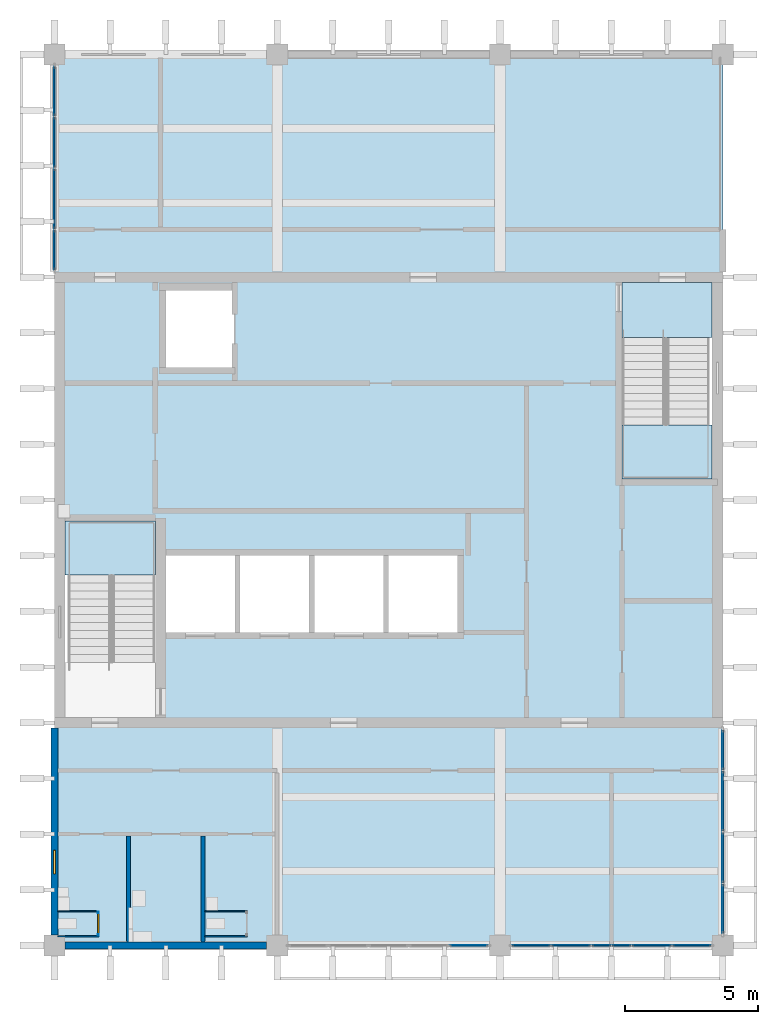
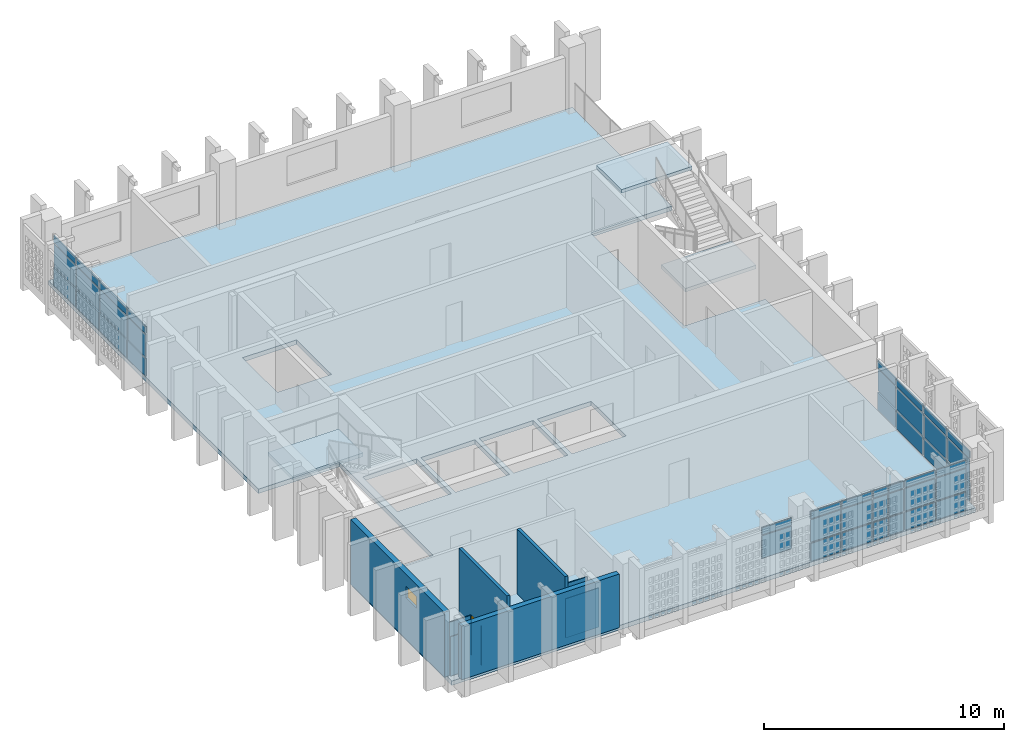
# One storey, part 4 of 13: 44 plates, 9 walls, 4 slabs, 1 door, 1 window, 2 openings, 6 elements without a shape of their own.
"""IFC4 building model written with IfcOpenShell, lengths in metres."""

from ifc_helpers import new_model, si_unit, direction, frame, frame_2d, origin, origin_2d, place, context, subcontext, project, spatial, polyline, rectangle, outline, extrude, material, layer, layer_set, type_object, element, fill, aggregate, save


model = new_model("IFC4")

# Units and contexts
model_context = context("Model", 3, precision=1e-05, world=origin(), true_north=direction((0.0, 1.0)))
body_context = subcontext(model_context, "Body", "Model", "MODEL_VIEW")
ifc_project = project(units=[si_unit("LENGTHUNIT", "METRE"), si_unit("AREAUNIT", "SQUARE_METRE"), si_unit("VOLUMEUNIT", "CUBIC_METRE"), si_unit("PLANEANGLEUNIT", "RADIAN"), si_unit("MASSUNIT", "GRAM", prefix="KILO")], contexts=[model_context])

# Site, building, storey
site_placement = place(None, origin())
site = spatial("IfcSite", under=ifc_project, at=site_placement, CompositionType="ELEMENT")
building_placement = place(site_placement, origin())
building = spatial("IfcBuilding", under=site, at=building_placement, Name="Rulbaag Community and Learning Centre", CompositionType="ELEMENT")
storey_placement = place(building_placement, frame((0.0, 0.0, 39.60009765625)))
storey = spatial("IfcBuildingStorey", under=building, at=storey_placement, Name="L10", CompositionType="ELEMENT", Elevation=39.60009765625)

# Curtain wall, plate
ifc_material_1 = material(Name="Aluminium", Category="aluminium")
ifc_layer_1 = layer(ifc_material_1, 0.14990234375)
ifc_layer_set_1 = layer_set([ifc_layer_1], Name="CW-S")
curtain_wall_type_1 = type_object("IfcCurtainWallType", Name="CW-S", PredefinedType="USERDEFINED", material=ifc_layer_set_1)
curtain_wall_1_placement = place(storey_placement, origin())
curtain_wall_1 = element("IfcCurtainWall", 1, at=curtain_wall_1_placement, inside=storey, type_object=curtain_wall_type_1, Name="GS-L10-01", ObjectType="UNITISED CURTAIN WALL", PredefinedType="USERDEFINED")
ifc_layer_2 = layer(ifc_material_1, 0.054931640625)
ifc_layer_set_2 = layer_set([ifc_layer_2], Name="CW-S-SPN")
plate_type_1 = type_object("IfcPlateType", Name="CW-S-SPN", PredefinedType="CURTAIN_PANEL", material=ifc_layer_set_2)
plate_1_placement = place(storey_placement, frame((158.425048828125, 84.0, 2.22998046875), z_axis=(0.0, 0.0, 1.0), x_axis=(1.0, 0.0, 0.0)))
plate_1 = element("IfcPlate", 2, at=plate_1_placement, type_object=plate_type_1, Name="GS spandrel panel", PredefinedType="CURTAIN_PANEL", context=body_context, shape_type="SweptSolid", body=[
    extrude(rectangle(XDim=1.429931640625, YDim=0.054931640625, at=origin_2d()), origin(), (0.0, 0.0, 1.0), 0.360107421875),
])

# Curtain wall, plates
curtain_wall_2_placement = place(storey_placement, origin())
curtain_wall_2 = element("IfcCurtainWall", 3, at=curtain_wall_2_placement, inside=storey, type_object=curtain_wall_type_1, Name="GS-L10-02", ObjectType="UNITISED CURTAIN WALL", PredefinedType="USERDEFINED")
plate_2_placement = place(storey_placement, frame((160.77490234375, 84.0, 0.06005859375), z_axis=(0.0, 0.0, 1.0), x_axis=(1.0, 0.0, 0.0)))
plate_2 = element("IfcPlate", 4, at=plate_2_placement, type_object=plate_type_1, Name="GS spandrel panel", PredefinedType="CURTAIN_PANEL", context=body_context, shape_type="SweptSolid", body=[
    extrude(rectangle(XDim=1.429931640625, YDim=0.054931640625, at=origin_2d()), origin(), (0.0, 0.0, 1.0), 0.909912109375),
])
plate_3_placement = place(storey_placement, frame((160.77490234375, 84.0, 2.22998046875), z_axis=(0.0, 0.0, 1.0), x_axis=(1.0, 0.0, 0.0)))
plate_3 = element("IfcPlate", 5, at=plate_3_placement, type_object=plate_type_1, Name="GS spandrel panel", PredefinedType="CURTAIN_PANEL", context=body_context, shape_type="SweptSolid", body=[
    extrude(rectangle(XDim=1.429931640625, YDim=0.054931640625, at=origin_2d()), origin(), (0.0, 0.0, 1.0), 0.360107421875),
])
plate_4_placement = place(storey_placement, frame((162.280029296875, 84.0, 0.06005859375), z_axis=(0.0, 0.0, 1.0), x_axis=(1.0, 0.0, 0.0)))
plate_4 = element("IfcPlate", 6, at=plate_4_placement, type_object=plate_type_1, Name="GS spandrel panel", PredefinedType="CURTAIN_PANEL", context=body_context, shape_type="SweptSolid", body=[
    extrude(rectangle(XDim=1.4599609375, YDim=0.054931640625, at=origin_2d()), origin(), (0.0, 0.0, 1.0), 0.909912109375),
])
plate_5_placement = place(storey_placement, frame((162.280029296875, 84.0, 2.22998046875), z_axis=(0.0, 0.0, 1.0), x_axis=(1.0, 0.0, 0.0)))
plate_5 = element("IfcPlate", 7, at=plate_5_placement, type_object=plate_type_1, Name="GS spandrel panel", PredefinedType="CURTAIN_PANEL", context=body_context, shape_type="SweptSolid", body=[
    extrude(rectangle(XDim=1.4599609375, YDim=0.054931640625, at=origin_2d()), origin(), (0.0, 0.0, 1.0), 0.360107421875),
])
plate_6_placement = place(storey_placement, frame((163.419921875, 84.0, 0.06005859375), z_axis=(0.0, 0.0, 1.0), x_axis=(1.0, 0.0, 0.0)))
plate_6 = element("IfcPlate", 8, at=plate_6_placement, type_object=plate_type_1, Name="GS spandrel panel", PredefinedType="CURTAIN_PANEL", context=body_context, shape_type="SweptSolid", body=[
    extrude(rectangle(XDim=0.699951171875, YDim=0.054931640625, at=origin_2d()), origin(), (0.0, 0.0, 1.0), 0.909912109375),
])
plate_7_placement = place(storey_placement, frame((163.419921875, 84.0, 2.22998046875), z_axis=(0.0, 0.0, 1.0), x_axis=(1.0, 0.0, 0.0)))
plate_7 = element("IfcPlate", 9, at=plate_7_placement, type_object=plate_type_1, Name="GS spandrel panel", PredefinedType="CURTAIN_PANEL", context=body_context, shape_type="SweptSolid", body=[
    extrude(rectangle(XDim=0.699951171875, YDim=0.054931640625, at=origin_2d()), origin(), (0.0, 0.0, 1.0), 0.360107421875),
])
plate_8_placement = place(storey_placement, frame((164.179931640625, 84.0, 0.06005859375), z_axis=(0.0, 0.0, 1.0), x_axis=(1.0, 0.0, 0.0)))
plate_8 = element("IfcPlate", 10, at=plate_8_placement, type_object=plate_type_1, Name="GS spandrel panel", PredefinedType="CURTAIN_PANEL", context=body_context, shape_type="SweptSolid", body=[
    extrude(rectangle(XDim=0.699951171875, YDim=0.054931640625, at=origin_2d()), origin(), (0.0, 0.0, 1.0), 0.909912109375),
])
plate_9_placement = place(storey_placement, frame((164.179931640625, 84.0, 2.22998046875), z_axis=(0.0, 0.0, 1.0), x_axis=(1.0, 0.0, 0.0)))
plate_9 = element("IfcPlate", 11, at=plate_9_placement, type_object=plate_type_1, Name="GS spandrel panel", PredefinedType="CURTAIN_PANEL", context=body_context, shape_type="SweptSolid", body=[
    extrude(rectangle(XDim=0.699951171875, YDim=0.054931640625, at=origin_2d()), origin(), (0.0, 0.0, 1.0), 0.360107421875),
])
plate_10_placement = place(storey_placement, frame((165.320068359375, 84.0, 0.06005859375), z_axis=(0.0, 0.0, 1.0), x_axis=(1.0, 0.0, 0.0)))
plate_10 = element("IfcPlate", 12, at=plate_10_placement, type_object=plate_type_1, Name="GS spandrel panel", PredefinedType="CURTAIN_PANEL", context=body_context, shape_type="SweptSolid", body=[
    extrude(rectangle(XDim=1.4599609375, YDim=0.054931640625, at=origin_2d()), origin(), (0.0, 0.0, 1.0), 0.909912109375),
])
plate_11_placement = place(storey_placement, frame((165.320068359375, 84.0, 2.22998046875), z_axis=(0.0, 0.0, 1.0), x_axis=(1.0, 0.0, 0.0)))
plate_11 = element("IfcPlate", 13, at=plate_11_placement, type_object=plate_type_1, Name="GS spandrel panel", PredefinedType="CURTAIN_PANEL", context=body_context, shape_type="SweptSolid", body=[
    extrude(rectangle(XDim=1.4599609375, YDim=0.054931640625, at=origin_2d()), origin(), (0.0, 0.0, 1.0), 0.360107421875),
])
plate_12_placement = place(storey_placement, frame((166.824951171875, 84.0, 0.06005859375), z_axis=(0.0, 0.0, 1.0), x_axis=(1.0, 0.0, 0.0)))
plate_12 = element("IfcPlate", 14, at=plate_12_placement, type_object=plate_type_1, Name="GS spandrel panel", PredefinedType="CURTAIN_PANEL", context=body_context, shape_type="SweptSolid", body=[
    extrude(rectangle(XDim=1.429931640625, YDim=0.054931640625, at=origin_2d()), origin(), (0.0, 0.0, 1.0), 0.909912109375),
])
plate_13_placement = place(storey_placement, frame((166.824951171875, 84.0, 2.22998046875), z_axis=(0.0, 0.0, 1.0), x_axis=(1.0, 0.0, 0.0)))
plate_13 = element("IfcPlate", 15, at=plate_13_placement, type_object=plate_type_1, Name="GS spandrel panel", PredefinedType="CURTAIN_PANEL", context=body_context, shape_type="SweptSolid", body=[
    extrude(rectangle(XDim=1.429931640625, YDim=0.054931640625, at=origin_2d()), origin(), (0.0, 0.0, 1.0), 0.360107421875),
])

# Plate
ifc_material_2 = material(Name="Glass", Category="glass")
ifc_layer_3 = layer(ifc_material_2, 0.030029296875)
ifc_layer_set_3 = layer_set([ifc_layer_3], Name="CW-S-VIS")
plate_type_2 = type_object("IfcPlateType", Name="CW-S-VIS", PredefinedType="CURTAIN_PANEL", material=ifc_layer_set_3)
plate_14_placement = place(storey_placement, frame((158.425048828125, 84.0, 1.02978515625), z_axis=(0.0, 0.0, 1.0), x_axis=(1.0, 0.0, 0.0)))
plate_14 = element("IfcPlate", 16, at=plate_14_placement, type_object=plate_type_2, Name="GS vision panel", PredefinedType="CURTAIN_PANEL", context=body_context, shape_type="SweptSolid", body=[
    extrude(rectangle(XDim=1.429931640625, YDim=0.030029296875, at=origin_2d()), origin(), (0.0, 0.0, 1.0), 1.139892578125),
])

aggregate(curtain_wall_1, [plate_14, plate_1])

plate_15_placement = place(storey_placement, frame((160.77490234375, 84.0, 1.02978515625), z_axis=(0.0, 0.0, 1.0), x_axis=(1.0, 0.0, 0.0)))
plate_15 = element("IfcPlate", 17, at=plate_15_placement, type_object=plate_type_2, Name="GS vision panel", PredefinedType="CURTAIN_PANEL", context=body_context, shape_type="SweptSolid", body=[
    extrude(rectangle(XDim=1.429931640625, YDim=0.030029296875, at=origin_2d()), origin(), (0.0, 0.0, 1.0), 1.139892578125),
])

plate_16_placement = place(storey_placement, frame((162.280029296875, 84.0, 1.02978515625), z_axis=(0.0, 0.0, 1.0), x_axis=(1.0, 0.0, 0.0)))
plate_16 = element("IfcPlate", 18, at=plate_16_placement, type_object=plate_type_2, Name="GS vision panel", PredefinedType="CURTAIN_PANEL", context=body_context, shape_type="SweptSolid", body=[
    extrude(rectangle(XDim=1.4599609375, YDim=0.030029296875, at=origin_2d()), origin(), (0.0, 0.0, 1.0), 1.139892578125),
])

plate_17_placement = place(storey_placement, frame((163.419921875, 84.0, 1.02978515625), z_axis=(0.0, 0.0, 1.0), x_axis=(1.0, 0.0, 0.0)))
plate_17 = element("IfcPlate", 19, at=plate_17_placement, type_object=plate_type_2, Name="GS vision panel", PredefinedType="CURTAIN_PANEL", context=body_context, shape_type="SweptSolid", body=[
    extrude(rectangle(XDim=0.699951171875, YDim=0.030029296875, at=origin_2d()), origin(), (0.0, 0.0, 1.0), 1.139892578125),
])

plate_18_placement = place(storey_placement, frame((164.179931640625, 84.0, 1.02978515625), z_axis=(0.0, 0.0, 1.0), x_axis=(1.0, 0.0, 0.0)))
plate_18 = element("IfcPlate", 20, at=plate_18_placement, type_object=plate_type_2, Name="GS vision panel", PredefinedType="CURTAIN_PANEL", context=body_context, shape_type="SweptSolid", body=[
    extrude(rectangle(XDim=0.699951171875, YDim=0.030029296875, at=origin_2d()), origin(), (0.0, 0.0, 1.0), 1.139892578125),
])

plate_19_placement = place(storey_placement, frame((165.320068359375, 84.0, 1.02978515625), z_axis=(0.0, 0.0, 1.0), x_axis=(1.0, 0.0, 0.0)))
plate_19 = element("IfcPlate", 21, at=plate_19_placement, type_object=plate_type_2, Name="GS vision panel", PredefinedType="CURTAIN_PANEL", context=body_context, shape_type="SweptSolid", body=[
    extrude(rectangle(XDim=1.4599609375, YDim=0.030029296875, at=origin_2d()), origin(), (0.0, 0.0, 1.0), 1.139892578125),
])

plate_20_placement = place(storey_placement, frame((166.824951171875, 84.0, 1.02978515625), z_axis=(0.0, 0.0, 1.0), x_axis=(1.0, 0.0, 0.0)))
plate_20 = element("IfcPlate", 22, at=plate_20_placement, type_object=plate_type_2, Name="GS vision panel", PredefinedType="CURTAIN_PANEL", context=body_context, shape_type="SweptSolid", body=[
    extrude(rectangle(XDim=1.429931640625, YDim=0.030029296875, at=origin_2d()), origin(), (0.0, 0.0, 1.0), 1.139892578125),
])

aggregate(curtain_wall_2, [plate_2, plate_15, plate_3, plate_4, plate_16, plate_5, plate_6, plate_17, plate_7, plate_8, plate_18, plate_9, plate_10, plate_19, plate_11, plate_12, plate_20, plate_13])

# Curtain wall, plates
ifc_layer_4 = layer(ifc_material_1, 0.14990234375)
ifc_layer_set_4 = layer_set([ifc_layer_4], Name="CW-T")
curtain_wall_type_2 = type_object("IfcCurtainWallType", Name="CW-T", PredefinedType="USERDEFINED", material=ifc_layer_set_4)
curtain_wall_3_placement = place(storey_placement, origin())
curtain_wall_3 = element("IfcCurtainWall", 23, at=curtain_wall_3_placement, inside=storey, type_object=curtain_wall_type_2, Name="GT-L10-01", ObjectType="UNITISED CURTAIN WALL", PredefinedType="USERDEFINED")
ifc_layer_5 = layer(ifc_material_1, 0.06005859375)
ifc_layer_set_5 = layer_set([ifc_layer_5], Name="CW-T-SPN")
plate_type_3 = type_object("IfcPlateType", Name="CW-T-SPN", PredefinedType="CURTAIN_PANEL", material=ifc_layer_set_5)
plate_21_placement = place(storey_placement, frame((142.800048828125, 110.228759765625, 0.06494140625), z_axis=(0.0, 0.0, 1.0), x_axis=(0.0, 1.0, 0.0)))
plate_21 = element("IfcPlate", 24, at=plate_21_placement, type_object=plate_type_3, Name="GT spandrel panel", PredefinedType="CURTAIN_PANEL", context=body_context, shape_type="SweptSolid", body=[
    extrude(rectangle(XDim=1.4775390625, YDim=0.06005859375, at=origin_2d()), origin(), (0.0, 0.0, 1.0), 0.902587890625),
])
plate_22_placement = place(storey_placement, frame((142.800048828125, 110.228759765625, 2.232421875), z_axis=(0.0, 0.0, 1.0), x_axis=(0.0, 1.0, 0.0)))
plate_22 = element("IfcPlate", 25, at=plate_22_placement, type_object=plate_type_3, Name="GT spandrel panel", PredefinedType="CURTAIN_PANEL", context=body_context, shape_type="SweptSolid", body=[
    extrude(rectangle(XDim=1.4775390625, YDim=0.06005859375, at=origin_2d()), origin(), (0.0, 0.0, 1.0), 0.3525390625),
])
plate_23_placement = place(storey_placement, frame((142.800048828125, 112.15625, 0.06494140625), z_axis=(0.0, 0.0, 1.0), x_axis=(0.0, 1.0, 0.0)))
plate_23 = element("IfcPlate", 26, at=plate_23_placement, type_object=plate_type_3, Name="GT spandrel panel", PredefinedType="CURTAIN_PANEL", context=body_context, shape_type="SweptSolid", body=[
    extrude(rectangle(XDim=2.24755859375, YDim=0.06005859375, at=origin_2d()), origin(), (0.0, 0.0, 1.0), 0.902587890625),
])
plate_24_placement = place(storey_placement, frame((142.800048828125, 112.15625, 2.232421875), z_axis=(0.0, 0.0, 1.0), x_axis=(0.0, 1.0, 0.0)))
plate_24 = element("IfcPlate", 27, at=plate_24_placement, type_object=plate_type_3, Name="GT spandrel panel", PredefinedType="CURTAIN_PANEL", context=body_context, shape_type="SweptSolid", body=[
    extrude(rectangle(XDim=2.24755859375, YDim=0.06005859375, at=origin_2d()), origin(), (0.0, 0.0, 1.0), 0.3525390625),
])
plate_25_placement = place(storey_placement, frame((142.800048828125, 114.284423828125, 0.06494140625), z_axis=(0.0, 0.0, 1.0), x_axis=(0.0, 1.0, 0.0)))
plate_25 = element("IfcPlate", 28, at=plate_25_placement, type_object=plate_type_3, Name="GT spandrel panel", PredefinedType="CURTAIN_PANEL", context=body_context, shape_type="SweptSolid", body=[
    extrude(rectangle(XDim=1.878662109375, YDim=0.06005859375, at=origin_2d()), origin(), (0.0, 0.0, 1.0), 0.902587890625),
])
plate_26_placement = place(storey_placement, frame((142.800048828125, 114.284423828125, 2.232421875), z_axis=(0.0, 0.0, 1.0), x_axis=(0.0, 1.0, 0.0)))
plate_26 = element("IfcPlate", 29, at=plate_26_placement, type_object=plate_type_3, Name="GT spandrel panel", PredefinedType="CURTAIN_PANEL", context=body_context, shape_type="SweptSolid", body=[
    extrude(rectangle(XDim=1.878662109375, YDim=0.06005859375, at=origin_2d()), origin(), (0.0, 0.0, 1.0), 0.3525390625),
])
plate_27_placement = place(storey_placement, frame((142.800048828125, 116.2119140625, 0.06494140625), z_axis=(0.0, 0.0, 1.0), x_axis=(0.0, 1.0, 0.0)))
plate_27 = element("IfcPlate", 30, at=plate_27_placement, type_object=plate_type_3, Name="GT spandrel panel", PredefinedType="CURTAIN_PANEL", context=body_context, shape_type="SweptSolid", body=[
    extrude(rectangle(XDim=1.84619140625, YDim=0.06005859375, at=origin_2d()), origin(), (0.0, 0.0, 1.0), 0.902587890625),
])
plate_28_placement = place(storey_placement, frame((142.800048828125, 116.2119140625, 2.232421875), z_axis=(0.0, 0.0, 1.0), x_axis=(0.0, 1.0, 0.0)))
plate_28 = element("IfcPlate", 31, at=plate_28_placement, type_object=plate_type_3, Name="GT spandrel panel", PredefinedType="CURTAIN_PANEL", context=body_context, shape_type="SweptSolid", body=[
    extrude(rectangle(XDim=1.84619140625, YDim=0.06005859375, at=origin_2d()), origin(), (0.0, 0.0, 1.0), 0.3525390625),
])

curtain_wall_4_placement = place(storey_placement, origin())
curtain_wall_4 = element("IfcCurtainWall", 32, at=curtain_wall_4_placement, inside=storey, type_object=curtain_wall_type_2, Name="GT-L10-02", ObjectType="UNITISED CURTAIN WALL", PredefinedType="USERDEFINED")
plate_29_placement = place(storey_placement, frame((168.0, 85.38818359375, 0.06494140625), z_axis=(0.0, 0.0, 1.0), x_axis=(0.0, 1.0, 0.0)))
plate_29 = element("IfcPlate", 33, at=plate_29_placement, type_object=plate_type_3, Name="GT spandrel panel", PredefinedType="CURTAIN_PANEL", context=body_context, shape_type="SweptSolid", body=[
    extrude(rectangle(XDim=1.84619140625, YDim=0.06005859375, at=origin_2d()), origin(), (0.0, 0.0, 1.0), 0.902587890625),
])
plate_30_placement = place(storey_placement, frame((168.0, 85.38818359375, 2.232421875), z_axis=(0.0, 0.0, 1.0), x_axis=(0.0, 1.0, 0.0)))
plate_30 = element("IfcPlate", 34, at=plate_30_placement, type_object=plate_type_3, Name="GT spandrel panel", PredefinedType="CURTAIN_PANEL", context=body_context, shape_type="SweptSolid", body=[
    extrude(rectangle(XDim=1.84619140625, YDim=0.06005859375, at=origin_2d()), origin(), (0.0, 0.0, 1.0), 0.3525390625),
])
plate_31_placement = place(storey_placement, frame((168.0, 87.315673828125, 0.06494140625), z_axis=(0.0, 0.0, 1.0), x_axis=(0.0, 1.0, 0.0)))
plate_31 = element("IfcPlate", 35, at=plate_31_placement, type_object=plate_type_3, Name="GT spandrel panel", PredefinedType="CURTAIN_PANEL", context=body_context, shape_type="SweptSolid", body=[
    extrude(rectangle(XDim=1.878662109375, YDim=0.06005859375, at=origin_2d()), origin(), (0.0, 0.0, 1.0), 0.902587890625),
])
plate_32_placement = place(storey_placement, frame((168.0, 87.315673828125, 2.232421875), z_axis=(0.0, 0.0, 1.0), x_axis=(0.0, 1.0, 0.0)))
plate_32 = element("IfcPlate", 36, at=plate_32_placement, type_object=plate_type_3, Name="GT spandrel panel", PredefinedType="CURTAIN_PANEL", context=body_context, shape_type="SweptSolid", body=[
    extrude(rectangle(XDim=1.878662109375, YDim=0.06005859375, at=origin_2d()), origin(), (0.0, 0.0, 1.0), 0.3525390625),
])
plate_33_placement = place(storey_placement, frame((168.0, 89.44384765625, 0.06494140625), z_axis=(0.0, 0.0, 1.0), x_axis=(0.0, 1.0, 0.0)))
plate_33 = element("IfcPlate", 37, at=plate_33_placement, type_object=plate_type_3, Name="GT spandrel panel", PredefinedType="CURTAIN_PANEL", context=body_context, shape_type="SweptSolid", body=[
    extrude(rectangle(XDim=2.24755859375, YDim=0.06005859375, at=origin_2d()), origin(), (0.0, 0.0, 1.0), 0.902587890625),
])
plate_34_placement = place(storey_placement, frame((168.0, 89.44384765625, 2.232421875), z_axis=(0.0, 0.0, 1.0), x_axis=(0.0, 1.0, 0.0)))
plate_34 = element("IfcPlate", 38, at=plate_34_placement, type_object=plate_type_3, Name="GT spandrel panel", PredefinedType="CURTAIN_PANEL", context=body_context, shape_type="SweptSolid", body=[
    extrude(rectangle(XDim=2.24755859375, YDim=0.06005859375, at=origin_2d()), origin(), (0.0, 0.0, 1.0), 0.3525390625),
])
plate_35_placement = place(storey_placement, frame((168.0, 91.371337890625, 0.06494140625), z_axis=(0.0, 0.0, 1.0), x_axis=(0.0, 1.0, 0.0)))
plate_35 = element("IfcPlate", 39, at=plate_35_placement, type_object=plate_type_3, Name="GT spandrel panel", PredefinedType="CURTAIN_PANEL", context=body_context, shape_type="SweptSolid", body=[
    extrude(rectangle(XDim=1.4775390625, YDim=0.06005859375, at=origin_2d()), origin(), (0.0, 0.0, 1.0), 0.902587890625),
])
plate_36_placement = place(storey_placement, frame((168.0, 91.371337890625, 2.232421875), z_axis=(0.0, 0.0, 1.0), x_axis=(0.0, 1.0, 0.0)))
plate_36 = element("IfcPlate", 40, at=plate_36_placement, type_object=plate_type_3, Name="GT spandrel panel", PredefinedType="CURTAIN_PANEL", context=body_context, shape_type="SweptSolid", body=[
    extrude(rectangle(XDim=1.4775390625, YDim=0.06005859375, at=origin_2d()), origin(), (0.0, 0.0, 1.0), 0.3525390625),
])

# Plate
ifc_layer_6 = layer(ifc_material_2, 0.028076171875)
ifc_layer_set_6 = layer_set([ifc_layer_6], Name="CW-T-VIS")
plate_type_4 = type_object("IfcPlateType", Name="CW-T-VIS", PredefinedType="CURTAIN_PANEL", material=ifc_layer_set_6)
plate_37_placement = place(storey_placement, frame((142.800048828125, 110.228759765625, 1.0322265625), z_axis=(0.0, 0.0, 1.0), x_axis=(0.0, 1.0, 0.0)))
plate_37 = element("IfcPlate", 41, at=plate_37_placement, type_object=plate_type_4, Name="GT vision panel", PredefinedType="CURTAIN_PANEL", context=body_context, shape_type="SweptSolid", body=[
    extrude(rectangle(XDim=1.4775390625, YDim=0.028076171875, at=origin_2d()), origin(), (0.0, 0.0, 1.0), 1.135009765625),
])

plate_38_placement = place(storey_placement, frame((142.800048828125, 112.15625, 1.0322265625), z_axis=(0.0, 0.0, 1.0), x_axis=(0.0, 1.0, 0.0)))
plate_38 = element("IfcPlate", 42, at=plate_38_placement, type_object=plate_type_4, Name="GT vision panel", PredefinedType="CURTAIN_PANEL", context=body_context, shape_type="SweptSolid", body=[
    extrude(rectangle(XDim=2.24755859375, YDim=0.028076171875, at=origin_2d()), origin(), (0.0, 0.0, 1.0), 1.135009765625),
])

plate_39_placement = place(storey_placement, frame((142.800048828125, 114.284423828125, 1.0322265625), z_axis=(0.0, 0.0, 1.0), x_axis=(0.0, 1.0, 0.0)))
plate_39 = element("IfcPlate", 43, at=plate_39_placement, type_object=plate_type_4, Name="GT vision panel", PredefinedType="CURTAIN_PANEL", context=body_context, shape_type="SweptSolid", body=[
    extrude(rectangle(XDim=1.878662109375, YDim=0.028076171875, at=origin_2d()), origin(), (0.0, 0.0, 1.0), 1.135009765625),
])

plate_40_placement = place(storey_placement, frame((142.800048828125, 116.2119140625, 1.0322265625), z_axis=(0.0, 0.0, 1.0), x_axis=(0.0, 1.0, 0.0)))
plate_40 = element("IfcPlate", 44, at=plate_40_placement, type_object=plate_type_4, Name="GT vision panel", PredefinedType="CURTAIN_PANEL", context=body_context, shape_type="SweptSolid", body=[
    extrude(rectangle(XDim=1.84619140625, YDim=0.028076171875, at=origin_2d()), origin(), (0.0, 0.0, 1.0), 1.135009765625),
])

aggregate(curtain_wall_3, [plate_21, plate_37, plate_22, plate_23, plate_38, plate_24, plate_25, plate_39, plate_26, plate_27, plate_40, plate_28])

plate_41_placement = place(storey_placement, frame((168.0, 85.38818359375, 1.0322265625), z_axis=(0.0, 0.0, 1.0), x_axis=(0.0, 1.0, 0.0)))
plate_41 = element("IfcPlate", 45, at=plate_41_placement, type_object=plate_type_4, Name="GT vision panel", PredefinedType="CURTAIN_PANEL", context=body_context, shape_type="SweptSolid", body=[
    extrude(rectangle(XDim=1.84619140625, YDim=0.028076171875, at=origin_2d()), origin(), (0.0, 0.0, 1.0), 1.135009765625),
])

plate_42_placement = place(storey_placement, frame((168.0, 87.315673828125, 1.0322265625), z_axis=(0.0, 0.0, 1.0), x_axis=(0.0, 1.0, 0.0)))
plate_42 = element("IfcPlate", 46, at=plate_42_placement, type_object=plate_type_4, Name="GT vision panel", PredefinedType="CURTAIN_PANEL", context=body_context, shape_type="SweptSolid", body=[
    extrude(rectangle(XDim=1.878662109375, YDim=0.028076171875, at=origin_2d()), origin(), (0.0, 0.0, 1.0), 1.135009765625),
])

plate_43_placement = place(storey_placement, frame((168.0, 89.44384765625, 1.0322265625), z_axis=(0.0, 0.0, 1.0), x_axis=(0.0, 1.0, 0.0)))
plate_43 = element("IfcPlate", 47, at=plate_43_placement, type_object=plate_type_4, Name="GT vision panel", PredefinedType="CURTAIN_PANEL", context=body_context, shape_type="SweptSolid", body=[
    extrude(rectangle(XDim=2.24755859375, YDim=0.028076171875, at=origin_2d()), origin(), (0.0, 0.0, 1.0), 1.135009765625),
])

plate_44_placement = place(storey_placement, frame((168.0, 91.371337890625, 1.0322265625), z_axis=(0.0, 0.0, 1.0), x_axis=(0.0, 1.0, 0.0)))
plate_44 = element("IfcPlate", 48, at=plate_44_placement, type_object=plate_type_4, Name="GT vision panel", PredefinedType="CURTAIN_PANEL", context=body_context, shape_type="SweptSolid", body=[
    extrude(rectangle(XDim=1.4775390625, YDim=0.028076171875, at=origin_2d()), origin(), (0.0, 0.0, 1.0), 1.135009765625),
])

aggregate(curtain_wall_4, [plate_29, plate_41, plate_30, plate_31, plate_42, plate_32, plate_33, plate_43, plate_34, plate_35, plate_44, plate_36])

# Stair, slab
ifc_material_3 = material(Name="Concrete M40", Category="concrete")
stair_type = type_object("IfcStairType", Name="ST-1650 STAIR 1650 WIDE", PredefinedType="HALF_TURN_STAIR", material=ifc_material_3)
stair_1_placement = place(storey_placement, origin())
stair_1 = element("IfcStair", 49, at=stair_1_placement, inside=storey, type_object=stair_type, Name="Stair ST1 L10", PredefinedType="HALF_TURN_STAIR")
ifc_layer_7 = layer(ifc_material_3, 0.179931640625)
ifc_layer_set_7 = layer_set([ifc_layer_7], Name="LN-180 LANDING 180 Concrete M40")
slab_type_1 = type_object("IfcSlabType", Name="LN-180 LANDING 180 Concrete M40", PredefinedType="LANDING", material=ifc_layer_set_7)
slab_1_placement = place(storey_placement, frame((0.0, 0.0, 1.619873046875)))
slab_1 = element("IfcSlab", 50, at=slab_1_placement, type_object=slab_type_1, Name="ST1 landing 1", PredefinedType="LANDING", context=body_context, shape_type="SweptSolid", body=[
    extrude(outline(polyline([(143.199951171875, 97.97509765625), (143.199951171875, 100.0), (146.60009765625, 100.0), (146.60009765625, 97.97509765625), (143.199951171875, 97.97509765625)])), origin(), (0.0, 0.0, 1.0), 0.179931640625),
])
aggregate(stair_1, [slab_1])

# Stair, slabs
stair_2_placement = place(storey_placement, origin())
stair_2 = element("IfcStair", 51, at=stair_2_placement, inside=storey, type_object=stair_type, Name="Stair ST2 L10", PredefinedType="HALF_TURN_STAIR")
slab_2_placement = place(storey_placement, frame((0.0, 0.0, 1.619873046875)))
slab_2 = element("IfcSlab", 52, at=slab_2_placement, type_object=slab_type_1, Name="ST2 landing 1", PredefinedType="LANDING", context=body_context, shape_type="SweptSolid", body=[
    extrude(outline(polyline([(164.199951171875, 101.60009765625), (164.199951171875, 103.625), (167.60009765625, 103.625), (167.60009765625, 101.60009765625), (164.199951171875, 101.60009765625)])), origin(), (0.0, 0.0, 1.0), 0.179931640625),
])
slab_3_placement = place(storey_placement, frame((0.0, 0.0, 3.419921875)))
slab_3 = element("IfcSlab", 53, at=slab_3_placement, type_object=slab_type_1, Name="ST2 landing 2", PredefinedType="LANDING", context=body_context, shape_type="SweptSolid", body=[
    extrude(outline(polyline([(164.199951171875, 106.925048828125), (164.199951171875, 109.0), (167.60009765625, 109.0), (167.60009765625, 106.925048828125), (164.199951171875, 106.925048828125)])), origin(), (0.0, 0.0, 1.0), 0.179931640625),
])
aggregate(stair_2, [slab_2, slab_3])

# Slab
ifc_layer_8 = layer(ifc_material_3, 0.22509765625)
ifc_layer_set_8 = layer_set([ifc_layer_8], Name="S11 Floor slab 225 Concrete M40")
slab_type_2 = type_object("IfcSlabType", Name="S11 Floor slab 225 Concrete M40", PredefinedType="FLOOR", material=ifc_layer_set_8)
slab_4_placement = place(storey_placement, frame((0.0, 0.0, -0.22509765625)))
element("IfcSlab", 54, at=slab_4_placement, inside=storey, type_object=slab_type_2, Name="SL-L10-B01", PredefinedType="FLOOR", context=body_context, shape_type="SweptSolid", body=[
    extrude(outline(polyline([(168.0, 84.0), (142.800048828125, 84.0), (142.800048828125, 92.300048828125), (146.699951171875, 92.300048828125), (146.699951171875, 100.10009765625), (142.800048828125, 100.10009765625), (142.800048828125, 117.60009765625), (168.0, 117.60009765625), (168.0, 109.300048828125), (164.10009765625, 109.300048828125), (164.10009765625, 101.5), (168.0, 101.5), (168.0, 84.0)]), holes=[polyline([(147.0, 98.699951171875), (147.0, 95.800048828125), (149.60009765625, 95.800048828125), (149.60009765625, 98.699951171875), (147.0, 98.699951171875)]), polyline([(149.800048828125, 98.699951171875), (149.800048828125, 95.800048828125), (152.39990234375, 95.800048828125), (152.39990234375, 98.699951171875), (149.800048828125, 98.699951171875)]), polyline([(152.60009765625, 98.699951171875), (152.60009765625, 95.800048828125), (155.199951171875, 95.800048828125), (155.199951171875, 98.699951171875), (152.60009765625, 98.699951171875)]), polyline([(155.39990234375, 98.699951171875), (155.39990234375, 95.800048828125), (158.0, 95.800048828125), (158.0, 98.699951171875), (155.39990234375, 98.699951171875)]), polyline([(147.0, 108.699951171875), (147.0, 105.800048828125), (149.60009765625, 105.800048828125), (149.60009765625, 108.699951171875), (147.0, 108.699951171875)])]), origin(), (0.0, 0.0, 1.0), 0.22509765625),
])

# Walls
ifc_material_4 = material(Name="High pressure laminate", Category="wood")
ifc_layer_9 = layer(ifc_material_4, 0.0400390625)
ifc_layer_set_9 = layer_set([ifc_layer_9], Name="CP-40")
wall_type_1 = type_object("IfcWallType", Name="CP-40", PredefinedType="PARTITIONING", material=ifc_layer_set_9)
wall_1_placement = place(storey_placement, frame((142.929931640625, 84.35009765625, 0.0), z_axis=(0.0, 0.0, 1.0), x_axis=(1.0, 0.0, 0.0)))
element("IfcWall", 55, at=wall_1_placement, inside=storey, type_object=wall_type_1, Name="Cubicle partition", PredefinedType="PARTITIONING", context=body_context, shape_type="SweptSolid", body=[
    extrude(rectangle(XDim=1.5400390625, YDim=0.0400390625, at=frame_2d((0.77001953125, 0.0))), origin(), (0.0, 0.0, 1.0), 2.0),
])
wall_2_placement = place(storey_placement, frame((142.925048828125, 85.2900390625, 0.0), z_axis=(0.0, 0.0, 1.0), x_axis=(1.0, 0.0, 0.0)))
element("IfcWall", 56, at=wall_2_placement, inside=storey, type_object=wall_type_1, Name="Cubicle partition", PredefinedType="PARTITIONING", context=body_context, shape_type="SweptSolid", body=[
    extrude(rectangle(XDim=1.544921875, YDim=0.0400390625, at=frame_2d((0.7724609375, 0.0))), origin(), (0.0, 0.0, 1.0), 2.0),
])

# Wall, opening, door
wall_3_placement = place(storey_placement, frame((144.449951171875, 84.3701171875, 0.0), z_axis=(0.0, 0.0, 1.0), x_axis=(0.0, 1.0, 0.0)))
wall_3 = element("IfcWall", 57, at=wall_3_placement, inside=storey, type_object=wall_type_1, Name="Cubicle partition", PredefinedType="PARTITIONING", context=body_context, shape_type="SweptSolid", body=[
    extrude(rectangle(XDim=0.89990234375, YDim=0.0400390625, at=frame_2d((0.449951171875, 0.0))), origin(), (0.0, 0.0, 1.0), 2.0),
])
opening_1_placement = place(wall_3_placement, frame((0.050048828125, 0.0, 0.0)))
opening_1 = element("IfcOpeningElement", 58, at=opening_1_placement, cuts=wall_3, Name="Opening L10-D002", PredefinedType="OPENING", context=body_context, shape_type="SweptSolid", body=[
    extrude(rectangle(XDim=0.800048828125, YDim=2.0, at=frame_2d((0.39990234375, 1.0))), frame((0.0, 0.030029296875, 0.0), z_axis=(0.0, -1.0, 0.0), x_axis=(1.0, 0.0, 0.0)), (0.0, 0.0, 1.0), 0.06005859375),
])
door_type = type_object("IfcDoorType", Name="DC-80", OperationType="SINGLE_SWING_LEFT", PredefinedType="DOOR", material=ifc_material_4)
door_placement = place(opening_1_placement, origin())
door = element("IfcDoor", 59, at=door_placement, inside=storey, type_object=door_type, Name="Cubicle door", OperationType="SINGLE_SWING_LEFT", OverallHeight=2.0, OverallWidth=0.800048828125, PredefinedType="DOOR", context=body_context, shape_type="SweptSolid", body=[
    extrude(rectangle(XDim=0.800048828125, YDim=2.0, at=frame_2d((0.39990234375, 1.0))), frame((0.0, 0.019775390625, 0.0), z_axis=(0.0, -1.0, 0.0), x_axis=(1.0, 0.0, 0.0)), (0.0, 0.0, 1.0), 0.03955078125),
])
fill(opening_1, door)

# Walls
for number, where, z_axis, x_axis, name in (
    (60, (148.47509765625, 84.35009765625, 0.0), (0.0, 0.0, 1.0), (1.0, 0.0, 0.0), "Cubicle partition"),
    (61, (148.47509765625, 85.2900390625, 0.0), (0.0, 0.0, 1.0), (1.0, 0.0, 0.0), "Cubicle partition"),
):
    element("IfcWall", number, at=place(storey_placement, frame(where, z_axis=z_axis, x_axis=x_axis)), inside=storey, type_object=wall_type_1, Name=name, PredefinedType="PARTITIONING", context=body_context, shape_type="SweptSolid", body=[
        extrude(rectangle(XDim=1.594970703125, YDim=0.0400390625, at=frame_2d((0.79736328125, 0.0))), origin(), (0.0, 0.0, 1.0), 2.0),
    ])
ifc_layer_10 = layer(ifc_material_3, 0.25)
ifc_layer_set_10 = layer_set([ifc_layer_10], Name="EW-CONC250")
wall_type_2 = type_object("IfcWallType", Name="EW-CONC250", PredefinedType="STANDARD", material=ifc_layer_set_10)
wall_4_placement = place(storey_placement, frame((143.199951171875, 84.0, 0.0), z_axis=(0.0, 0.0, 1.0), x_axis=(1.0, 0.0, 0.0)))
element("IfcWall", 62, at=wall_4_placement, inside=storey, type_object=wall_type_2, Name="Board-marked concrete cladding wall BS", PredefinedType="STANDARD", context=body_context, shape_type="SweptSolid", body=[
    extrude(rectangle(XDim=7.60009765625, YDim=0.25, at=frame_2d((3.800048828125, 0.0))), origin(), (0.0, 0.0, 1.0), 2.724853515625),
])

# Wall, opening, window
wall_5_placement = place(storey_placement, frame((142.800048828125, 84.39990234375, 0.0), z_axis=(0.0, 0.0, 1.0), x_axis=(0.0, 1.0, 0.0)))
wall_5 = element("IfcWall", 63, at=wall_5_placement, inside=storey, type_object=wall_type_2, Name="Board-marked concrete cladding wall BW", PredefinedType="STANDARD", context=body_context, shape_type="SweptSolid", body=[
    extrude(rectangle(XDim=7.800048828125, YDim=0.25, at=frame_2d((3.89990234375, 0.0))), origin(), (0.0, 0.0, 1.0), 3.2998046875),
])
opening_2_placement = place(wall_5_placement, frame((2.300048828125, 0.0, 2.10009765625)))
opening_2 = element("IfcOpeningElement", 64, at=opening_2_placement, cuts=wall_5, Name="Opening WN5", PredefinedType="OPENING", context=body_context, shape_type="SweptSolid", body=[
    extrude(rectangle(XDim=0.89990234375, YDim=0.60009765625, at=frame_2d((0.449951171875, 0.300048828125))), frame((0.0, 0.135009765625, 0.0), z_axis=(0.0, -1.0, 0.0), x_axis=(1.0, 0.0, 0.0)), (0.0, 0.0, 1.0), 0.27001953125),
])
window_type = type_object("IfcWindowType", Name="WK-09", PartitioningType="SINGLE_PANEL", PredefinedType="WINDOW", material=ifc_material_1)
window_placement = place(opening_2_placement, origin())
window = element("IfcWindow", 65, at=window_placement, inside=storey, type_object=window_type, Name="Window WN5", OverallHeight=0.60009765625, OverallWidth=0.89990234375, PartitioningType="SINGLE_PANEL", PredefinedType="WINDOW", context=body_context, shape_type="SweptSolid", body=[
    extrude(rectangle(XDim=0.89990234375, YDim=0.60009765625, at=frame_2d((0.449951171875, 0.300048828125))), frame((0.0, 0.030029296875, 0.0), z_axis=(0.0, -1.0, 0.0), x_axis=(1.0, 0.0, 0.0)), (0.0, 0.0, 1.0), 0.06005859375),
])
fill(opening_2, window)

# Walls
ifc_material_5 = material(Name="Concrete blockwork", Category="masonry")
ifc_layer_11 = layer(ifc_material_5, 0.14990234375)
ifc_layer_set_11 = layer_set([ifc_layer_11], Name="IP-150 PARTITION 150")
wall_type_3 = type_object("IfcWallType", Name="IP-150 PARTITION 150", PredefinedType="PARTITIONING", material=ifc_layer_set_11)
for number, where, z_axis, x_axis, name in (
    (66, (145.60009765625, 84.125, 0.0), (0.0, 0.0, 1.0), (0.0, 1.0, 0.0), "Partition L10 11"),
    (67, (148.39990234375, 84.125, 0.0), (0.0, 0.0, 1.0), (0.0, 1.0, 0.0), "Partition L10 15"),
):
    element("IfcWall", number, at=place(storey_placement, frame(where, z_axis=z_axis, x_axis=x_axis)), inside=storey, type_object=wall_type_3, Name=name, PredefinedType="PARTITIONING", context=body_context, shape_type="SweptSolid", body=[
        extrude(rectangle(XDim=4.0, YDim=0.14990234375, at=frame_2d((2.0, 0.0))), origin(), (0.0, 0.0, 1.0), 3.2998046875),
    ])

save(model, "model.ifc")
